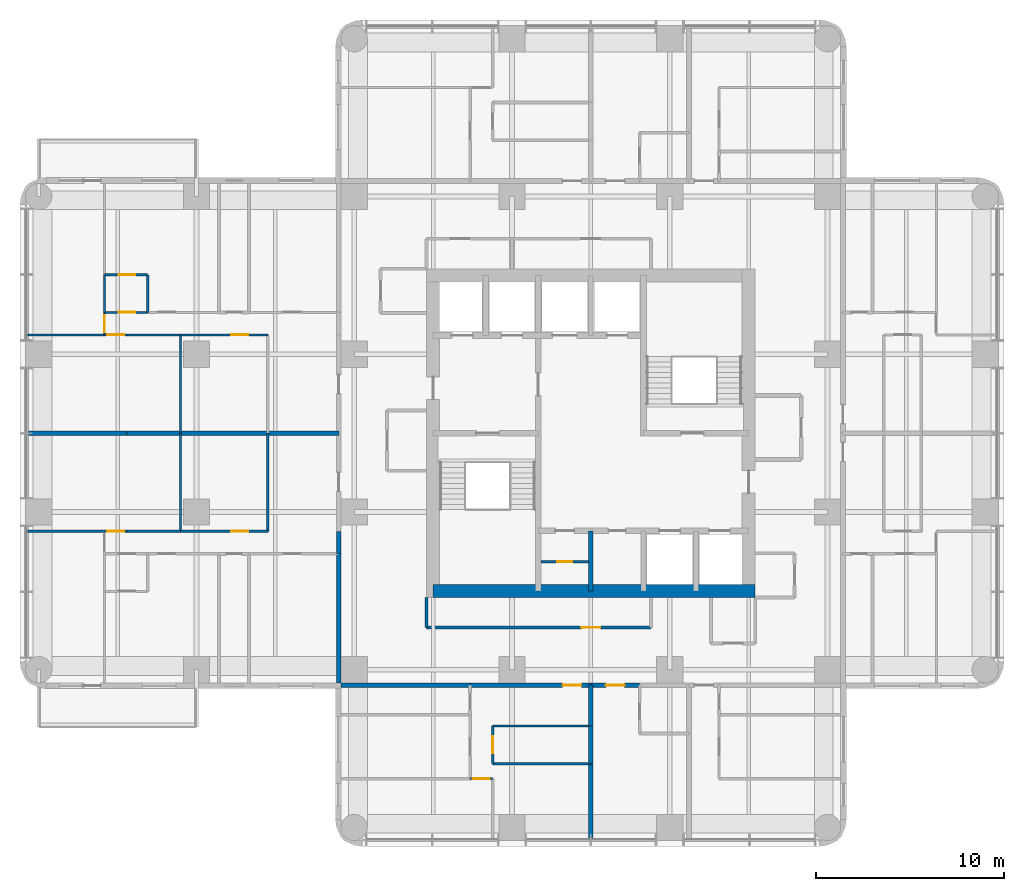
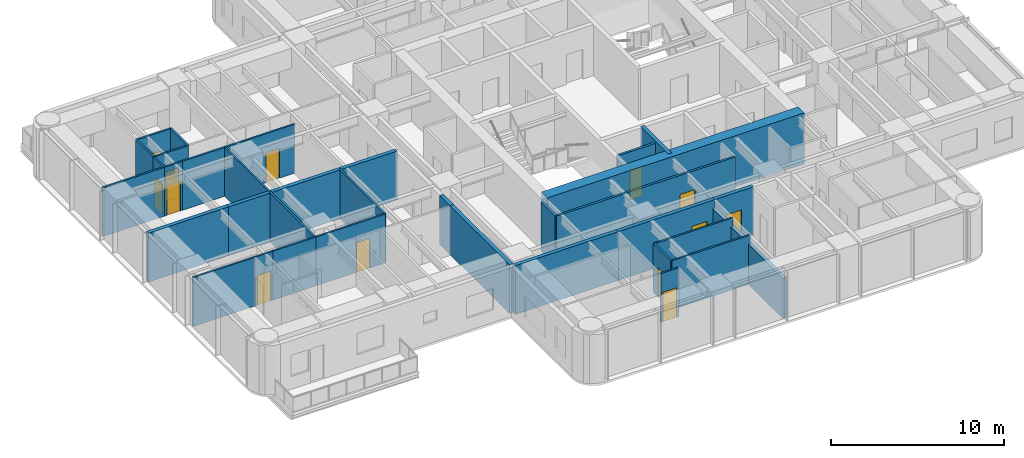
# One storey, part 5 of 11: 37 walls, 13 doors, 13 openings.
"""IFC4 building model written with IfcOpenShell, lengths in metres."""

from ifc_helpers import new_model, si_unit, direction, frame, frame_2d, origin, place, context, subcontext, project, spatial, rectangle, extrude, material, layer, layer_set, type_object, element, fill, save


model = new_model("IFC4")

# Units and contexts
model_context = context("Model", 3, precision=1e-05, world=origin(), true_north=direction((0.0, 1.0)))
body_context = subcontext(model_context, "Body", "Model", "MODEL_VIEW")
ifc_project = project(units=[si_unit("LENGTHUNIT", "METRE"), si_unit("AREAUNIT", "SQUARE_METRE"), si_unit("VOLUMEUNIT", "CUBIC_METRE"), si_unit("PLANEANGLEUNIT", "RADIAN"), si_unit("MASSUNIT", "GRAM", prefix="KILO")], contexts=[model_context])

# Site, building, storey
site_placement = place(None, origin())
site = spatial("IfcSite", under=ifc_project, at=site_placement, CompositionType="ELEMENT")
building_placement = place(site_placement, origin())
building = spatial("IfcBuilding", under=site, at=building_placement, Name="Torre Alcanfor", CompositionType="ELEMENT")
storey_placement = place(building_placement, frame((0.0, 0.0, 208.5)))
storey = spatial("IfcBuildingStorey", under=building, at=storey_placement, Name="L54", CompositionType="ELEMENT", Elevation=208.5)

# Wall, opening, door
ifc_material_1 = material(Name="Concrete block masonry, hollow blocks NMX-C-404 9 MPa", Category="masonry")
ifc_layer_1 = layer(ifc_material_1, 0.25)
ifc_layer_set_1 = layer_set([ifc_layer_1], Name="Apartment entrance wall 250 EI 60")
wall_type_1 = type_object("IfcWallType", Name="Apartment entrance wall 250 EI 60", PredefinedType="PARTITIONING", material=ifc_layer_set_1)
wall_1_placement = place(storey_placement, frame((32.0, 15.97509765625, 0.0), z_axis=(0.0, 0.0, 1.0), x_axis=(-1.0, 0.0, 0.0)))
wall_1 = element("IfcWall", 1, at=wall_1_placement, inside=storey, type_object=wall_type_1, Name="Partition L54-CORR / L54-S1A-STUDIO", PredefinedType="PARTITIONING", context=body_context, shape_type="SweptSolid", body=[
    extrude(rectangle(XDim=2.60009765625, YDim=0.25, at=frame_2d((1.300048828125, 0.0))), origin(), (0.0, 0.0, 1.0), 3.449951171875),
])
opening_1_placement = place(wall_1_placement, frame((0.800048828125, 0.0, 0.0)))
opening_1 = element("IfcOpeningElement", 2, at=opening_1_placement, cuts=wall_1, Name="Opening D-A1", PredefinedType="OPENING", context=body_context, shape_type="SweptSolid", body=[
    extrude(rectangle(XDim=1.0, YDim=2.10009765625, at=frame_2d((0.5, 1.050048828125))), frame((0.0, 0.135009765625, 0.0), z_axis=(0.0, -1.0, 0.0), x_axis=(1.0, 0.0, 0.0)), (0.0, 0.0, 1.0), 0.27001953125),
])
ifc_material_2 = material(Name="Galvanised steel sheet ASTM A653", Category="steel")
door_type_1 = type_object("IfcDoorType", Name="Apartment entrance door FD60 1000x2100", OperationType="SINGLE_SWING_LEFT", PredefinedType="DOOR", material=ifc_material_2)
door_1_placement = place(opening_1_placement, origin())
door_1 = element("IfcDoor", 3, at=door_1_placement, inside=storey, type_object=door_type_1, Name="Apartment entrance L54-S1A", OperationType="SINGLE_SWING_LEFT", OverallHeight=2.10009765625, OverallWidth=1.0, PredefinedType="DOOR", context=body_context, shape_type="SweptSolid", body=[
    extrude(rectangle(XDim=1.0, YDim=2.10009765625, at=frame_2d((0.5, 1.050048828125))), frame((0.0, 0.02490234375, 0.0), z_axis=(0.0, -1.0, 0.0), x_axis=(1.0, 0.0, 0.0)), (0.0, 0.0, 1.0), 0.050048828125),
])
fill(opening_1, door_1)

wall_2_placement = place(storey_placement, frame((29.39990234375, 15.97509765625, 0.0), z_axis=(0.0, 0.0, 1.0), x_axis=(-1.0, 0.0, 0.0)))
wall_2 = element("IfcWall", 4, at=wall_2_placement, inside=storey, type_object=wall_type_1, Name="Partition L54-CORR / L54-S2-LIVING", PredefinedType="PARTITIONING", context=body_context, shape_type="SweptSolid", body=[
    extrude(rectangle(XDim=6.428955078125, YDim=0.25, at=frame_2d((3.21435546875, 0.0))), origin(), (0.0, 0.0, 1.0), 3.449951171875),
])
opening_2_placement = place(wall_2_placement, frame((0.5, 0.0, 0.0)))
opening_2 = element("IfcOpeningElement", 5, at=opening_2_placement, cuts=wall_2, Name="Opening D-A1", PredefinedType="OPENING", context=body_context, shape_type="SweptSolid", body=[
    extrude(rectangle(XDim=1.0, YDim=2.10009765625, at=frame_2d((0.5, 1.050048828125))), frame((0.0, 0.135009765625, 0.0), z_axis=(0.0, -1.0, 0.0), x_axis=(1.0, 0.0, 0.0)), (0.0, 0.0, 1.0), 0.27001953125),
])
door_2_placement = place(opening_2_placement, origin())
door_2 = element("IfcDoor", 6, at=door_2_placement, inside=storey, type_object=door_type_1, Name="Apartment entrance L54-S2", OperationType="SINGLE_SWING_LEFT", OverallHeight=2.10009765625, OverallWidth=1.0, PredefinedType="DOOR", context=body_context, shape_type="SweptSolid", body=[
    extrude(rectangle(XDim=1.0, YDim=2.10009765625, at=frame_2d((0.5, 1.050048828125))), frame((0.0, 0.02490234375, 0.0), z_axis=(0.0, -1.0, 0.0), x_axis=(1.0, 0.0, 0.0)), (0.0, 0.0, 1.0), 0.050048828125),
])
fill(opening_2, door_2)

# Walls
wall_3_placement = place(storey_placement, frame((22.970947265625, 15.97509765625, 0.0), z_axis=(0.0, 0.0, 1.0), x_axis=(-1.0, 0.0, 0.0)))
element("IfcWall", 7, at=wall_3_placement, inside=storey, type_object=wall_type_1, Name="Partition L54-CORR / L54-S2-BATH", PredefinedType="PARTITIONING", context=body_context, shape_type="SweptSolid", body=[
    extrude(rectangle(XDim=6.870849609375, YDim=0.25, at=frame_2d((3.435546875, 0.0))), origin(), (0.0, 0.0, 1.0), 3.449951171875),
])
wall_4_placement = place(storey_placement, frame((15.97509765625, 22.970947265625, 0.0), z_axis=(0.0, 0.0, 1.0), x_axis=(0.0, 1.0, 0.0)))
element("IfcWall", 8, at=wall_4_placement, inside=storey, type_object=wall_type_1, Name="Partition L54-CORR / L54-W1-HALL", PredefinedType="PARTITIONING", context=body_context, shape_type="SweptSolid", body=[
    extrude(rectangle(XDim=1.199951171875, YDim=0.25, at=frame_2d((0.60009765625, 0.0))), origin(), (0.0, 0.0, 1.0), 3.449951171875),
])
wall_5_placement = place(storey_placement, frame((15.97509765625, 16.10009765625, 0.0), z_axis=(0.0, 0.0, 1.0), x_axis=(0.0, 1.0, 0.0)))
element("IfcWall", 9, at=wall_5_placement, inside=storey, type_object=wall_type_1, Name="Partition L54-CORR / L54-W1-BED2", PredefinedType="PARTITIONING", context=body_context, shape_type="SweptSolid", body=[
    extrude(rectangle(XDim=6.870849609375, YDim=0.25, at=frame_2d((3.435546875, 0.0))), origin(), (0.0, 0.0, 1.0), 3.449951171875),
])
ifc_material_3 = material(Name="Gypsum board on steel studs", Category="steel")
ifc_layer_2 = layer(ifc_material_3, 0.1201171875)
ifc_layer_set_2 = layer_set([ifc_layer_2], Name="Apartment partition 120")
wall_type_2 = type_object("IfcWallType", Name="Apartment partition 120", PredefinedType="PARTITIONING", material=ifc_layer_set_2)
wall_6_placement = place(storey_placement, frame((29.39990234375, 11.800048828125, 0.0), z_axis=(0.0, 0.0, 1.0), x_axis=(-1.0, 0.0, 0.0)))
element("IfcWall", 10, at=wall_6_placement, inside=storey, type_object=wall_type_2, Name="Partition L54-S2-KITCHEN / L54-S2-LIVING", PredefinedType="PARTITIONING", context=body_context, shape_type="SweptSolid", body=[
    extrude(rectangle(XDim=5.22900390625, YDim=0.1201171875, at=frame_2d((2.614501953125, 0.0))), origin(), (0.0, 0.0, 1.0), 3.449951171875),
])

# Wall, opening, door
wall_7_placement = place(storey_placement, frame((24.1708984375, 11.800048828125, 0.0), z_axis=(0.0, 0.0, 1.0), x_axis=(0.0, 1.0, 0.0)))
wall_7 = element("IfcWall", 11, at=wall_7_placement, inside=storey, type_object=wall_type_2, Name="Partition L54-S2-KITCHEN / L54-S2-LIVING", PredefinedType="PARTITIONING", context=body_context, shape_type="SweptSolid", body=[
    extrude(rectangle(XDim=2.0, YDim=0.1201171875, at=frame_2d((1.0, 0.0))), origin(), (0.0, 0.0, 1.0), 3.449951171875),
])
opening_3_placement = place(wall_7_placement, frame((0.550048828125, 0.0, 0.0)))
opening_3 = element("IfcOpeningElement", 12, at=opening_3_placement, cuts=wall_7, Name="Opening D-R1", PredefinedType="OPENING", context=body_context, shape_type="SweptSolid", body=[
    extrude(rectangle(XDim=0.89990234375, YDim=2.10009765625, at=frame_2d((0.449951171875, 1.050048828125))), frame((0.0, 0.070068359375, 0.0), z_axis=(0.0, -1.0, 0.0), x_axis=(1.0, 0.0, 0.0)), (0.0, 0.0, 1.0), 0.14013671875),
])
ifc_material_4 = material(Name="Timber", Category="wood")
door_type_2 = type_object("IfcDoorType", Name="Internal door 900x2100", OperationType="SINGLE_SWING_LEFT", PredefinedType="DOOR", material=ifc_material_4)
door_3_placement = place(opening_3_placement, frame((0.89990234375, 0.0, 0.0), z_axis=(0.0, 0.0, 1.0), x_axis=(-1.0, 0.0, 0.0)))
door_3 = element("IfcDoor", 13, at=door_3_placement, inside=storey, type_object=door_type_2, Name="Door L54-S2 kitchen", OperationType="SINGLE_SWING_RIGHT", OverallHeight=2.10009765625, OverallWidth=0.89990234375, PredefinedType="DOOR", context=body_context, shape_type="SweptSolid", body=[
    extrude(rectangle(XDim=0.89990234375, YDim=2.10009765625, at=frame_2d((0.449951171875, 1.050048828125))), frame((0.0, 0.025146484375, 0.0), z_axis=(0.0, -1.0, 0.0), x_axis=(1.0, 0.0, 0.0)), (0.0, 0.0, 1.0), 0.050048828125),
])
fill(opening_3, door_3)

# Wall
wall_8_placement = place(storey_placement, frame((24.1708984375, 13.800048828125, 0.0), z_axis=(0.0, 0.0, 1.0), x_axis=(1.0, 0.0, 0.0)))
element("IfcWall", 14, at=wall_8_placement, inside=storey, type_object=wall_type_2, Name="Partition L54-S2-KITCHEN / L54-S2-LIVING", PredefinedType="PARTITIONING", context=body_context, shape_type="SweptSolid", body=[
    extrude(rectangle(XDim=5.22900390625, YDim=0.1201171875, at=frame_2d((2.614501953125, 0.0))), origin(), (0.0, 0.0, 1.0), 3.449951171875),
])

# Wall, opening, door
wall_9_placement = place(storey_placement, frame((24.1708984375, 11.0, 0.0), z_axis=(0.0, 0.0, 1.0), x_axis=(-1.0, 0.0, 0.0)))
wall_9 = element("IfcWall", 15, at=wall_9_placement, inside=storey, type_object=wall_type_2, Name="Partition L54-S2-LIVING / L54-S2-MASTER", PredefinedType="PARTITIONING", context=body_context, shape_type="SweptSolid", body=[
    extrude(rectangle(XDim=1.199951171875, YDim=0.1201171875, at=frame_2d((0.60009765625, 0.0))), origin(), (0.0, 0.0, 1.0), 3.449951171875),
])
opening_4_placement = place(wall_9_placement, frame((0.15087890625, 0.0, 0.0)))
opening_4 = element("IfcOpeningElement", 16, at=opening_4_placement, cuts=wall_9, Name="Opening D-R1", PredefinedType="OPENING", context=body_context, shape_type="SweptSolid", body=[
    extrude(rectangle(XDim=0.89990234375, YDim=2.10009765625, at=frame_2d((0.449951171875, 1.050048828125))), frame((0.0, 0.070068359375, 0.0), z_axis=(0.0, -1.0, 0.0), x_axis=(1.0, 0.0, 0.0)), (0.0, 0.0, 1.0), 0.14013671875),
])
door_4_placement = place(opening_4_placement, origin())
door_4 = element("IfcDoor", 17, at=door_4_placement, inside=storey, type_object=door_type_2, Name="Door L54-S2 master", OperationType="SINGLE_SWING_LEFT", OverallHeight=2.10009765625, OverallWidth=0.89990234375, PredefinedType="DOOR", context=body_context, shape_type="SweptSolid", body=[
    extrude(rectangle(XDim=0.89990234375, YDim=2.10009765625, at=frame_2d((0.449951171875, 1.050048828125))), frame((0.0, 0.02490234375, 0.0), z_axis=(0.0, -1.0, 0.0), x_axis=(1.0, 0.0, 0.0)), (0.0, 0.0, 1.0), 0.050048828125),
])
fill(opening_4, door_4)

# Walls
for number, where, z_axis, x_axis, name in (
    (18, (12.199951171875, 29.39990234375, 0.0), (0.0, 0.0, 1.0), (0.0, -1.0, 0.0), "Partition L54-W1-ZAG / L54-W1-FAMILY"),
    (19, (7.550048828125, 29.39990234375, 0.0), (0.0, 0.0, 1.0), (0.0, -1.0, 0.0), "Partition L54-W1-FAMILY / L54-W1-KITCHEN"),
):
    element("IfcWall", number, at=place(storey_placement, frame(where, z_axis=z_axis, x_axis=x_axis)), inside=storey, type_object=wall_type_2, Name=name, PredefinedType="PARTITIONING", context=body_context, shape_type="SweptSolid", body=[
        extrude(rectangle(XDim=5.22900390625, YDim=0.1201171875, at=frame_2d((2.614501953125, 0.0))), origin(), (0.0, 0.0, 1.0), 3.449951171875),
    ])

# Wall, opening, door
wall_10_placement = place(storey_placement, frame((7.550048828125, 24.1708984375, 0.0), z_axis=(0.0, 0.0, 1.0), x_axis=(1.0, 0.0, 0.0)))
wall_10 = element("IfcWall", 20, at=wall_10_placement, inside=storey, type_object=wall_type_2, Name="Partition L54-W1-FAMILY / L54-W1-HALL", PredefinedType="PARTITIONING", context=body_context, shape_type="SweptSolid", body=[
    extrude(rectangle(XDim=4.64990234375, YDim=0.1201171875, at=frame_2d((2.324951171875, 0.0))), origin(), (0.0, 0.0, 1.0), 3.449951171875),
])
opening_5_placement = place(wall_10_placement, frame((2.699951171875, 0.0, 0.0)))
opening_5 = element("IfcOpeningElement", 21, at=opening_5_placement, cuts=wall_10, Name="Opening D-R1", PredefinedType="OPENING", context=body_context, shape_type="SweptSolid", body=[
    extrude(rectangle(XDim=0.89990234375, YDim=2.10009765625, at=frame_2d((0.449951171875, 1.050048828125))), frame((0.0, 0.070068359375, 0.0), z_axis=(0.0, -1.0, 0.0), x_axis=(1.0, 0.0, 0.0)), (0.0, 0.0, 1.0), 0.14013671875),
])
door_5_placement = place(opening_5_placement, origin())
door_5 = element("IfcDoor", 22, at=door_5_placement, inside=storey, type_object=door_type_2, Name="Door L54-W1 family", OperationType="SINGLE_SWING_RIGHT", OverallHeight=2.10009765625, OverallWidth=0.89990234375, PredefinedType="DOOR", context=body_context, shape_type="SweptSolid", body=[
    extrude(rectangle(XDim=0.89990234375, YDim=2.10009765625, at=frame_2d((0.449951171875, 1.050048828125))), frame((0.0, 0.02490234375, 0.0), z_axis=(0.0, -1.0, 0.0), x_axis=(1.0, 0.0, 0.0)), (0.0, 0.0, 1.0), 0.050048828125),
])
fill(opening_5, door_5)

# Wall
wall_11_placement = place(storey_placement, frame((4.699951171875, 24.1708984375, 0.0), z_axis=(0.0, 0.0, 1.0), x_axis=(1.0, 0.0, 0.0)))
element("IfcWall", 23, at=wall_11_placement, inside=storey, type_object=wall_type_2, Name="Partition L54-W1-KITCHEN / L54-W1-HALL", PredefinedType="PARTITIONING", context=body_context, shape_type="SweptSolid", body=[
    extrude(rectangle(XDim=2.85009765625, YDim=0.1201171875, at=frame_2d((1.425048828125, 0.0))), origin(), (0.0, 0.0, 1.0), 3.449951171875),
])

# Wall, opening, door
wall_12_placement = place(storey_placement, frame((3.5, 24.1708984375, 0.0), z_axis=(0.0, 0.0, 1.0), x_axis=(1.0, 0.0, 0.0)))
wall_12 = element("IfcWall", 24, at=wall_12_placement, inside=storey, type_object=wall_type_2, Name="Partition L54-W1-LIVING / L54-W1-HALL", PredefinedType="PARTITIONING", context=body_context, shape_type="SweptSolid", body=[
    extrude(rectangle(XDim=1.199951171875, YDim=0.1201171875, at=frame_2d((0.60009765625, 0.0))), origin(), (0.0, 0.0, 1.0), 3.449951171875),
])
opening_6_placement = place(wall_12_placement, frame((0.14990234375, 0.0, 0.0)))
opening_6 = element("IfcOpeningElement", 25, at=opening_6_placement, cuts=wall_12, Name="Opening D-R1", PredefinedType="OPENING", context=body_context, shape_type="SweptSolid", body=[
    extrude(rectangle(XDim=0.89990234375, YDim=2.10009765625, at=frame_2d((0.449951171875, 1.050048828125))), frame((0.0, 0.070068359375, 0.0), z_axis=(0.0, -1.0, 0.0), x_axis=(1.0, 0.0, 0.0)), (0.0, 0.0, 1.0), 0.14013671875),
])
door_6_placement = place(opening_6_placement, origin())
door_6 = element("IfcDoor", 26, at=door_6_placement, inside=storey, type_object=door_type_2, Name="Door L54-W1 living", OperationType="SINGLE_SWING_RIGHT", OverallHeight=2.10009765625, OverallWidth=0.89990234375, PredefinedType="DOOR", context=body_context, shape_type="SweptSolid", body=[
    extrude(rectangle(XDim=0.89990234375, YDim=2.10009765625, at=frame_2d((0.449951171875, 1.050048828125))), frame((0.0, 0.02490234375, 0.0), z_axis=(0.0, -1.0, 0.0), x_axis=(1.0, 0.0, 0.0)), (0.0, 0.0, 1.0), 0.050048828125),
])
fill(opening_6, door_6)

# Walls
wall_13_placement = place(storey_placement, frame((-0.64990234375, 24.1708984375, 0.0), z_axis=(0.0, 0.0, 1.0), x_axis=(1.0, 0.0, 0.0)))
element("IfcWall", 27, at=wall_13_placement, inside=storey, type_object=wall_type_2, Name="Partition L54-W1-LIVING / L54-W1-WGARD", PredefinedType="PARTITIONING", context=body_context, shape_type="SweptSolid", body=[
    extrude(rectangle(XDim=4.14990234375, YDim=0.1201171875, at=frame_2d((2.074951171875, 0.0))), origin(), (0.0, 0.0, 1.0), 3.449951171875),
])
wall_14_placement = place(storey_placement, frame((7.550048828125, 29.39990234375, 0.0), z_axis=(0.0, 0.0, 1.0), x_axis=(0.0, 1.0, 0.0)))
element("IfcWall", 28, at=wall_14_placement, inside=storey, type_object=wall_type_2, Name="Partition L54-W2-FAMILY / L54-W2-KITCHEN", PredefinedType="PARTITIONING", context=body_context, shape_type="SweptSolid", body=[
    extrude(rectangle(XDim=5.22900390625, YDim=0.1201171875, at=frame_2d((2.614501953125, 0.0))), origin(), (0.0, 0.0, 1.0), 3.449951171875),
])

# Wall, opening, door
wall_15_placement = place(storey_placement, frame((7.550048828125, 34.62890625, 0.0), z_axis=(0.0, 0.0, 1.0), x_axis=(1.0, 0.0, 0.0)))
wall_15 = element("IfcWall", 29, at=wall_15_placement, inside=storey, type_object=wall_type_2, Name="Partition L54-W2-FAMILY / L54-W2-HALL", PredefinedType="PARTITIONING", context=body_context, shape_type="SweptSolid", body=[
    extrude(rectangle(XDim=4.64990234375, YDim=0.1201171875, at=frame_2d((2.324951171875, 0.0))), origin(), (0.0, 0.0, 1.0), 3.449951171875),
])
opening_7_placement = place(wall_15_placement, frame((2.699951171875, 0.0, 0.0)))
opening_7 = element("IfcOpeningElement", 30, at=opening_7_placement, cuts=wall_15, Name="Opening D-R1", PredefinedType="OPENING", context=body_context, shape_type="SweptSolid", body=[
    extrude(rectangle(XDim=0.89990234375, YDim=2.10009765625, at=frame_2d((0.449951171875, 1.050048828125))), frame((0.0, 0.070068359375, 0.0), z_axis=(0.0, -1.0, 0.0), x_axis=(1.0, 0.0, 0.0)), (0.0, 0.0, 1.0), 0.14013671875),
])
door_7_placement = place(opening_7_placement, frame((0.89990234375, 0.0, 0.0), z_axis=(0.0, 0.0, 1.0), x_axis=(-1.0, 0.0, 0.0)))
door_7 = element("IfcDoor", 31, at=door_7_placement, inside=storey, type_object=door_type_2, Name="Door L54-W2 family", OperationType="SINGLE_SWING_LEFT", OverallHeight=2.10009765625, OverallWidth=0.89990234375, PredefinedType="DOOR", context=body_context, shape_type="SweptSolid", body=[
    extrude(rectangle(XDim=0.89990234375, YDim=2.10009765625, at=frame_2d((0.449951171875, 1.050048828125))), frame((0.0, 0.025146484375, 0.0), z_axis=(0.0, -1.0, 0.0), x_axis=(1.0, 0.0, 0.0)), (0.0, 0.0, 1.0), 0.050048828125),
])
fill(opening_7, door_7)

# Wall
wall_16_placement = place(storey_placement, frame((4.699951171875, 34.62890625, 0.0), z_axis=(0.0, 0.0, 1.0), x_axis=(1.0, 0.0, 0.0)))
element("IfcWall", 32, at=wall_16_placement, inside=storey, type_object=wall_type_2, Name="Partition L54-W2-KITCHEN / L54-W2-HALL", PredefinedType="PARTITIONING", context=body_context, shape_type="SweptSolid", body=[
    extrude(rectangle(XDim=2.85009765625, YDim=0.1201171875, at=frame_2d((1.425048828125, 0.0))), origin(), (0.0, 0.0, 1.0), 3.449951171875),
])

# Wall, opening, door
wall_17_placement = place(storey_placement, frame((3.5, 34.62890625, 0.0), z_axis=(0.0, 0.0, 1.0), x_axis=(1.0, 0.0, 0.0)))
wall_17 = element("IfcWall", 33, at=wall_17_placement, inside=storey, type_object=wall_type_2, Name="Partition L54-W2-LIVING / L54-W2-HALL", PredefinedType="PARTITIONING", context=body_context, shape_type="SweptSolid", body=[
    extrude(rectangle(XDim=1.199951171875, YDim=0.1201171875, at=frame_2d((0.60009765625, 0.0))), origin(), (0.0, 0.0, 1.0), 3.449951171875),
])
opening_8_placement = place(wall_17_placement, frame((0.14990234375, 0.0, 0.0)))
opening_8 = element("IfcOpeningElement", 34, at=opening_8_placement, cuts=wall_17, Name="Opening D-R1", PredefinedType="OPENING", context=body_context, shape_type="SweptSolid", body=[
    extrude(rectangle(XDim=0.89990234375, YDim=2.10009765625, at=frame_2d((0.449951171875, 1.050048828125))), frame((0.0, 0.070068359375, 0.0), z_axis=(0.0, -1.0, 0.0), x_axis=(1.0, 0.0, 0.0)), (0.0, 0.0, 1.0), 0.14013671875),
])
door_8_placement = place(opening_8_placement, frame((0.89990234375, 0.0, 0.0), z_axis=(0.0, 0.0, 1.0), x_axis=(-1.0, 0.0, 0.0)))
door_8 = element("IfcDoor", 35, at=door_8_placement, inside=storey, type_object=door_type_2, Name="Door L54-W2 living", OperationType="SINGLE_SWING_LEFT", OverallHeight=2.10009765625, OverallWidth=0.89990234375, PredefinedType="DOOR", context=body_context, shape_type="SweptSolid", body=[
    extrude(rectangle(XDim=0.89990234375, YDim=2.10009765625, at=frame_2d((0.449951171875, 1.050048828125))), frame((0.0, 0.025146484375, 0.0), z_axis=(0.0, -1.0, 0.0), x_axis=(1.0, 0.0, 0.0)), (0.0, 0.0, 1.0), 0.050048828125),
])
fill(opening_8, door_8)

# Wall
wall_18_placement = place(storey_placement, frame((-0.64990234375, 34.62890625, 0.0), z_axis=(0.0, 0.0, 1.0), x_axis=(1.0, 0.0, 0.0)))
element("IfcWall", 36, at=wall_18_placement, inside=storey, type_object=wall_type_2, Name="Partition L54-W2-LIVING / L54-W2-WGARD", PredefinedType="PARTITIONING", context=body_context, shape_type="SweptSolid", body=[
    extrude(rectangle(XDim=4.14990234375, YDim=0.1201171875, at=frame_2d((2.074951171875, 0.0))), origin(), (0.0, 0.0, 1.0), 3.449951171875),
])

# Wall, opening, door
wall_19_placement = place(storey_placement, frame((3.5, 35.8291015625, 0.0), z_axis=(0.0, 0.0, 1.0), x_axis=(1.0, 0.0, 0.0)))
wall_19 = element("IfcWall", 37, at=wall_19_placement, inside=storey, type_object=wall_type_2, Name="Partition L54-W2-HALL / L54-W2-VEST", PredefinedType="PARTITIONING", context=body_context, shape_type="SweptSolid", body=[
    extrude(rectangle(XDim=2.300048828125, YDim=0.1201171875, at=frame_2d((1.14990234375, 0.0))), origin(), (0.0, 0.0, 1.0), 3.449951171875),
])
opening_9_placement = place(wall_19_placement, frame((0.75, 0.0, 0.0)))
opening_9 = element("IfcOpeningElement", 38, at=opening_9_placement, cuts=wall_19, Name="Opening D-R1", PredefinedType="OPENING", context=body_context, shape_type="SweptSolid", body=[
    extrude(rectangle(XDim=0.89990234375, YDim=2.10009765625, at=frame_2d((0.449951171875, 1.050048828125))), frame((0.0, 0.070068359375, 0.0), z_axis=(0.0, -1.0, 0.0), x_axis=(1.0, 0.0, 0.0)), (0.0, 0.0, 1.0), 0.14013671875),
])
door_9_placement = place(opening_9_placement, origin())
door_9 = element("IfcDoor", 39, at=door_9_placement, inside=storey, type_object=door_type_2, Name="Door L54-W2 vest", OperationType="SINGLE_SWING_RIGHT", OverallHeight=2.10009765625, OverallWidth=0.89990234375, PredefinedType="DOOR", context=body_context, shape_type="SweptSolid", body=[
    extrude(rectangle(XDim=0.89990234375, YDim=2.10009765625, at=frame_2d((0.449951171875, 1.050048828125))), frame((0.0, 0.02490234375, 0.0), z_axis=(0.0, -1.0, 0.0), x_axis=(1.0, 0.0, 0.0)), (0.0, 0.0, 1.0), 0.050048828125),
])
fill(opening_9, door_9)

wall_20_placement = place(storey_placement, frame((3.5, 34.62890625, 0.0), z_axis=(0.0, 0.0, 1.0), x_axis=(0.0, 1.0, 0.0)))
wall_20 = element("IfcWall", 40, at=wall_20_placement, inside=storey, type_object=wall_type_2, Name="Partition L54-W2-HALL / L54-W2-WGARD", PredefinedType="PARTITIONING", context=body_context, shape_type="SweptSolid", body=[
    extrude(rectangle(XDim=1.2001953125, YDim=0.1201171875, at=frame_2d((0.60009765625, 0.0))), origin(), (0.0, 0.0, 1.0), 3.449951171875),
])
opening_10_placement = place(wall_20_placement, frame((0.15087890625, 0.0, 0.0)))
opening_10 = element("IfcOpeningElement", 41, at=opening_10_placement, cuts=wall_20, Name="Opening D-R1", PredefinedType="OPENING", context=body_context, shape_type="SweptSolid", body=[
    extrude(rectangle(XDim=0.89990234375, YDim=2.10009765625, at=frame_2d((0.449951171875, 1.050048828125))), frame((0.0, 0.070068359375, 0.0), z_axis=(0.0, -1.0, 0.0), x_axis=(1.0, 0.0, 0.0)), (0.0, 0.0, 1.0), 0.14013671875),
])
door_10_placement = place(opening_10_placement, origin())
door_10 = element("IfcDoor", 42, at=door_10_placement, inside=storey, type_object=door_type_2, Name="Door L54-W2 wgard", OperationType="SINGLE_SWING_LEFT", OverallHeight=2.10009765625, OverallWidth=0.89990234375, PredefinedType="DOOR", context=body_context, shape_type="SweptSolid", body=[
    extrude(rectangle(XDim=0.89990234375, YDim=2.10009765625, at=frame_2d((0.449951171875, 1.050048828125))), frame((0.0, 0.02490234375, 0.0), z_axis=(0.0, -1.0, 0.0), x_axis=(1.0, 0.0, 0.0)), (0.0, 0.0, 1.0), 0.050048828125),
])
fill(opening_10, door_10)

# Wall
wall_21_placement = place(storey_placement, frame((5.800048828125, 35.8291015625, 0.0), z_axis=(0.0, 0.0, 1.0), x_axis=(0.0, 1.0, 0.0)))
element("IfcWall", 43, at=wall_21_placement, inside=storey, type_object=wall_type_2, Name="Partition L54-W2-MASTER / L54-W2-VEST", PredefinedType="PARTITIONING", context=body_context, shape_type="SweptSolid", body=[
    extrude(rectangle(XDim=2.0, YDim=0.1201171875, at=frame_2d((1.0, 0.0))), origin(), (0.0, 0.0, 1.0), 3.449951171875),
])

# Wall, opening, door
wall_22_placement = place(storey_placement, frame((5.800048828125, 37.8291015625, 0.0), z_axis=(0.0, 0.0, 1.0), x_axis=(-1.0, 0.0, 0.0)))
wall_22 = element("IfcWall", 44, at=wall_22_placement, inside=storey, type_object=wall_type_2, Name="Partition L54-W2-MASTER / L54-W2-VEST", PredefinedType="PARTITIONING", context=body_context, shape_type="SweptSolid", body=[
    extrude(rectangle(XDim=2.300048828125, YDim=0.1201171875, at=frame_2d((1.14990234375, 0.0))), origin(), (0.0, 0.0, 1.0), 3.449951171875),
])
opening_11_placement = place(wall_22_placement, frame((0.64990234375, 0.0, 0.0)))
opening_11 = element("IfcOpeningElement", 45, at=opening_11_placement, cuts=wall_22, Name="Opening D-R1", PredefinedType="OPENING", context=body_context, shape_type="SweptSolid", body=[
    extrude(rectangle(XDim=0.89990234375, YDim=2.10009765625, at=frame_2d((0.449951171875, 1.050048828125))), frame((0.0, 0.070068359375, 0.0), z_axis=(0.0, -1.0, 0.0), x_axis=(1.0, 0.0, 0.0)), (0.0, 0.0, 1.0), 0.14013671875),
])
door_11_placement = place(opening_11_placement, origin())
door_11 = element("IfcDoor", 46, at=door_11_placement, inside=storey, type_object=door_type_2, Name="Door L54-W2 master", OperationType="SINGLE_SWING_LEFT", OverallHeight=2.10009765625, OverallWidth=0.89990234375, PredefinedType="DOOR", context=body_context, shape_type="SweptSolid", body=[
    extrude(rectangle(XDim=0.89990234375, YDim=2.10009765625, at=frame_2d((0.449951171875, 1.050048828125))), frame((0.0, 0.02490234375, 0.0), z_axis=(0.0, -1.0, 0.0), x_axis=(1.0, 0.0, 0.0)), (0.0, 0.0, 1.0), 0.050048828125),
])
fill(opening_11, door_11)

# Walls
wall_23_placement = place(storey_placement, frame((3.5, 35.8291015625, 0.0), z_axis=(0.0, 0.0, 1.0), x_axis=(0.0, 1.0, 0.0)))
element("IfcWall", 47, at=wall_23_placement, inside=storey, type_object=wall_type_2, Name="Partition L54-W2-VEST / L54-W2-WGARD", PredefinedType="PARTITIONING", context=body_context, shape_type="SweptSolid", body=[
    extrude(rectangle(XDim=2.0, YDim=0.1201171875, at=frame_2d((1.0, 0.0))), origin(), (0.0, 0.0, 1.0), 3.449951171875),
])
ifc_material_5 = material(Name="Concrete f'c 70 MPa", Category="concrete")
ifc_layer_3 = layer(ifc_material_5, 0.25)
ifc_layer_set_3 = layer_set([ifc_layer_3], Name="Core shaft wall 250 f'c70")
wall_type_3 = type_object("IfcWallType", Name="Core shaft wall 250 f'c70", PredefinedType="SHEAR", material=ifc_layer_set_3)
wall_24_placement = place(storey_placement, frame((29.39990234375, 21.0, 0.0), z_axis=(0.0, 0.0, 1.0), x_axis=(0.0, 1.0, 0.0)))
element("IfcWall", 48, at=wall_24_placement, inside=storey, type_object=wall_type_3, Name="Core wall X294S L54", PredefinedType="SHEAR", context=body_context, shape_type="SweptSolid", body=[
    extrude(rectangle(XDim=3.199951171875, YDim=0.25, at=frame_2d((1.60009765625, 0.0))), origin(), (0.0, 0.0, 1.0), 3.60009765625),
])
ifc_material_6 = material(Name="Concrete f'c 70 MPa", Category="concrete")
ifc_layer_4 = layer(ifc_material_6, 0.699951171875)
ifc_layer_set_4 = layer_set([ifc_layer_4], Name="Core wall 700 f'c70")
wall_type_4 = type_object("IfcWallType", Name="Core wall 700 f'c70", PredefinedType="SHEAR", material=ifc_layer_set_4)
wall_25_placement = place(storey_placement, frame((21.0, 21.0, 0.0), z_axis=(0.0, 0.0, 1.0), x_axis=(1.0, 0.0, 0.0)))
element("IfcWall", 49, at=wall_25_placement, inside=storey, type_object=wall_type_4, Name="Core wall OUT-S L54", PredefinedType="SHEAR", context=body_context, shape_type="SweptSolid", body=[
    extrude(rectangle(XDim=17.14990234375, YDim=0.699951171875, at=frame_2d((8.574951171875, 0.0))), origin(), (0.0, 0.0, 1.0), 3.60009765625),
])
ifc_material_7 = material(Name="Concrete block masonry, hollow blocks NMX-C-404 9 MPa", Category="masonry")
ifc_layer_5 = layer(ifc_material_7, 0.25)
ifc_layer_set_5 = layer_set([ifc_layer_5], Name="Party wall 250 EI 60")
wall_type_5 = type_object("IfcWallType", Name="Party wall 250 EI 60", PredefinedType="PARTITIONING", material=ifc_layer_set_5)
wall_26_placement = place(storey_placement, frame((29.39990234375, 11.800048828125, 0.0), z_axis=(0.0, 0.0, 1.0), x_axis=(0.0, 1.0, 0.0)))
element("IfcWall", 50, at=wall_26_placement, inside=storey, type_object=wall_type_5, Name="Partition L54-S1A-STUDIO / L54-S2-KITCHEN", PredefinedType="PARTITIONING", context=body_context, shape_type="SweptSolid", body=[
    extrude(rectangle(XDim=2.0, YDim=0.25, at=frame_2d((1.0, 0.0))), origin(), (0.0, 0.0, 1.0), 2.847900390625),
])
wall_27_placement = place(storey_placement, frame((29.39990234375, 7.75, 0.0), z_axis=(0.0, 0.0, 1.0), x_axis=(0.0, 1.0, 0.0)))
element("IfcWall", 51, at=wall_27_placement, inside=storey, type_object=wall_type_5, Name="Partition L54-S1A-STUDIO / L54-S2-LIVING", PredefinedType="PARTITIONING", context=body_context, shape_type="SweptSolid", body=[
    extrude(rectangle(XDim=4.050048828125, YDim=0.25, at=frame_2d((2.02490234375, 0.0))), origin(), (0.0, 0.0, 1.0), 2.847900390625),
])
wall_28_placement = place(storey_placement, frame((29.39990234375, 13.800048828125, 0.0), z_axis=(0.0, 0.0, 1.0), x_axis=(0.0, 1.0, 0.0)))
element("IfcWall", 52, at=wall_28_placement, inside=storey, type_object=wall_type_5, Name="Partition L54-S1A-STUDIO / L54-S2-LIVING", PredefinedType="PARTITIONING", context=body_context, shape_type="SweptSolid", body=[
    extrude(rectangle(XDim=2.175048828125, YDim=0.25, at=frame_2d((1.08740234375, 0.0))), origin(), (0.0, 0.0, 1.0), 2.847900390625),
])
wall_29_placement = place(storey_placement, frame((15.97509765625, 29.39990234375, 0.0), z_axis=(0.0, 0.0, 1.0), x_axis=(-1.0, 0.0, 0.0)))
element("IfcWall", 53, at=wall_29_placement, inside=storey, type_object=wall_type_5, Name="Partition L54-W1-ZAG / L54-W2-ZAG", PredefinedType="PARTITIONING", context=body_context, shape_type="SweptSolid", body=[
    extrude(rectangle(XDim=3.775146484375, YDim=0.25, at=frame_2d((1.8876953125, 0.0))), origin(), (0.0, 0.0, 1.0), 3.449951171875),
])
wall_30_placement = place(storey_placement, frame((12.199951171875, 29.39990234375, 0.0), z_axis=(0.0, 0.0, 1.0), x_axis=(-1.0, 0.0, 0.0)))
element("IfcWall", 54, at=wall_30_placement, inside=storey, type_object=wall_type_5, Name="Partition L54-W1-FAMILY / L54-W2-FAMILY", PredefinedType="PARTITIONING", context=body_context, shape_type="SweptSolid", body=[
    extrude(rectangle(XDim=4.64990234375, YDim=0.25, at=frame_2d((2.324951171875, 0.0))), origin(), (0.0, 0.0, 1.0), 3.449951171875),
])
wall_31_placement = place(storey_placement, frame((7.550048828125, 29.39990234375, 0.0), z_axis=(0.0, 0.0, 1.0), x_axis=(-1.0, 0.0, 0.0)))
element("IfcWall", 55, at=wall_31_placement, inside=storey, type_object=wall_type_5, Name="Partition L54-W1-KITCHEN / L54-W2-KITCHEN", PredefinedType="PARTITIONING", context=body_context, shape_type="SweptSolid", body=[
    extrude(rectangle(XDim=2.85009765625, YDim=0.25, at=frame_2d((1.425048828125, 0.0))), origin(), (0.0, 0.0, 1.0), 3.449951171875),
])
wall_32_placement = place(storey_placement, frame((4.699951171875, 29.39990234375, 0.0), z_axis=(0.0, 0.0, 1.0), x_axis=(-1.0, 0.0, 0.0)))
element("IfcWall", 56, at=wall_32_placement, inside=storey, type_object=wall_type_5, Name="Partition L54-W1-LIVING / L54-W2-LIVING", PredefinedType="PARTITIONING", context=body_context, shape_type="SweptSolid", body=[
    extrude(rectangle(XDim=5.349853515625, YDim=0.25, at=frame_2d((2.6748046875, 0.0))), origin(), (0.0, 0.0, 1.0), 3.449951171875),
])
ifc_material_8 = material(Name="Concrete block masonry, hollow blocks NMX-C-404 9 MPa", Category="masonry")
ifc_layer_6 = layer(ifc_material_8, 0.14990234375)
ifc_layer_set_6 = layer_set([ifc_layer_6], Name="Residents' room partition 150")
wall_type_6 = type_object("IfcWallType", Name="Residents' room partition 150", PredefinedType="PARTITIONING", material=ifc_layer_set_6)
wall_33_placement = place(storey_placement, frame((20.64990234375, 20.64990234375, 0.0), z_axis=(0.0, 0.0, 1.0), x_axis=(0.0, -1.0, 0.0)))
element("IfcWall", 57, at=wall_33_placement, inside=storey, type_object=wall_type_6, Name="Partition L54-CORR / L54-G05", PredefinedType="PARTITIONING", context=body_context, shape_type="SweptSolid", body=[
    extrude(rectangle(XDim=1.599853515625, YDim=0.14990234375, at=frame_2d((0.7998046875, 0.0))), origin(), (0.0, 0.0, 1.0), 3.449951171875),
])

# Wall, opening, door
wall_34_placement = place(storey_placement, frame((20.64990234375, 19.050048828125, 0.0), z_axis=(0.0, 0.0, 1.0), x_axis=(1.0, 0.0, 0.0)))
wall_34 = element("IfcWall", 58, at=wall_34_placement, inside=storey, type_object=wall_type_6, Name="Partition L54-CORR / L54-G05", PredefinedType="PARTITIONING", context=body_context, shape_type="SweptSolid", body=[
    extrude(rectangle(XDim=11.9501953125, YDim=0.14990234375, at=frame_2d((5.97509765625, 0.0))), origin(), (0.0, 0.0, 1.0), 3.449951171875),
])
opening_12_placement = place(wall_34_placement, frame((8.25, 0.0, 0.0)))
opening_12 = element("IfcOpeningElement", 59, at=opening_12_placement, cuts=wall_34, Name="Opening D-M1", PredefinedType="OPENING", context=body_context, shape_type="SweptSolid", body=[
    extrude(rectangle(XDim=1.0, YDim=2.10009765625, at=frame_2d((0.5, 1.050048828125))), frame((0.0, 0.0849609375, 0.0), z_axis=(0.0, -1.0, 0.0), x_axis=(1.0, 0.0, 0.0)), (0.0, 0.0, 1.0), 0.169921875),
])
ifc_material_9 = material(Name="Timber", Category="wood")
door_type_3 = type_object("IfcDoorType", Name="Residents' room door 1000x2100", OperationType="SINGLE_SWING_LEFT", PredefinedType="DOOR", material=ifc_material_9)
door_12_placement = place(opening_12_placement, origin())
door_12 = element("IfcDoor", 60, at=door_12_placement, inside=storey, type_object=door_type_3, Name="Door L54-G05 residents' study", OperationType="SINGLE_SWING_RIGHT", OverallHeight=2.10009765625, OverallWidth=1.0, PredefinedType="DOOR", context=body_context, shape_type="SweptSolid", body=[
    extrude(rectangle(XDim=1.0, YDim=2.10009765625, at=frame_2d((0.5, 1.050048828125))), frame((0.0, 0.02490234375, 0.0), z_axis=(0.0, -1.0, 0.0), x_axis=(1.0, 0.0, 0.0)), (0.0, 0.0, 1.0), 0.050048828125),
])
fill(opening_12, door_12)

wall_35_placement = place(storey_placement, frame((26.75, 22.550048828125, 0.0), z_axis=(0.0, 0.0, 1.0), x_axis=(1.0, 0.0, 0.0)))
wall_35 = element("IfcWall", 61, at=wall_35_placement, inside=storey, type_object=wall_type_6, Name="Partition L54-PA1R / L54-PA1C", PredefinedType="PARTITIONING", context=body_context, shape_type="SweptSolid", body=[
    extrude(rectangle(XDim=2.52490234375, YDim=0.14990234375, at=frame_2d((1.262451171875, 0.0))), origin(), (0.0, 0.0, 1.0), 3.449951171875),
])
opening_13_placement = place(wall_35_placement, frame((0.862548828125, 0.0, 0.0)))
opening_13 = element("IfcOpeningElement", 62, at=opening_13_placement, cuts=wall_35, Name="Opening D-R2", PredefinedType="OPENING", context=body_context, shape_type="SweptSolid", body=[
    extrude(rectangle(XDim=0.800048828125, YDim=2.10009765625, at=frame_2d((0.39990234375, 1.050048828125))), frame((0.0, 0.0849609375, 0.0), z_axis=(0.0, -1.0, 0.0), x_axis=(1.0, 0.0, 0.0)), (0.0, 0.0, 1.0), 0.169921875),
])
ifc_material_10 = material(Name="Timber", Category="wood")
door_type_4 = type_object("IfcDoorType", Name="Bathroom door 800x2100", OperationType="SINGLE_SWING_LEFT", PredefinedType="DOOR", material=ifc_material_10)
door_13_placement = place(opening_13_placement, frame((0.800048828125, 0.0, 0.0), z_axis=(0.0, 0.0, 1.0), x_axis=(-1.0, 0.0, 0.0)))
door_13 = element("IfcDoor", 63, at=door_13_placement, inside=storey, type_object=door_type_4, Name="Cleaners' cupboard door L54", OperationType="SINGLE_SWING_RIGHT", OverallHeight=2.10009765625, OverallWidth=0.800048828125, PredefinedType="DOOR", context=body_context, shape_type="SweptSolid", body=[
    extrude(rectangle(XDim=0.800048828125, YDim=2.10009765625, at=frame_2d((0.400146484375, 1.050048828125))), frame((0.0, 0.025146484375, 0.0), z_axis=(0.0, -1.0, 0.0), x_axis=(1.0, 0.0, 0.0)), (0.0, 0.0, 1.0), 0.050048828125),
])
fill(opening_13, door_13)

save(model, "model.ifc")
